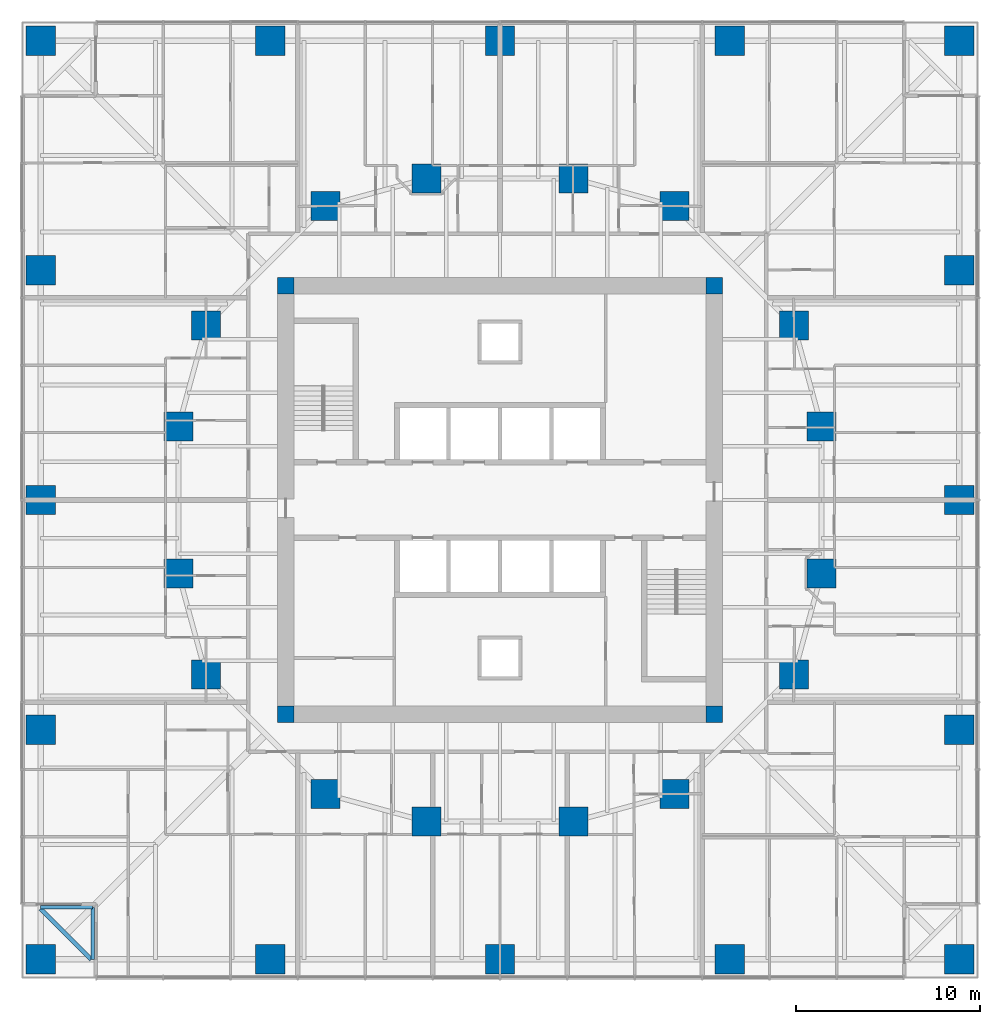
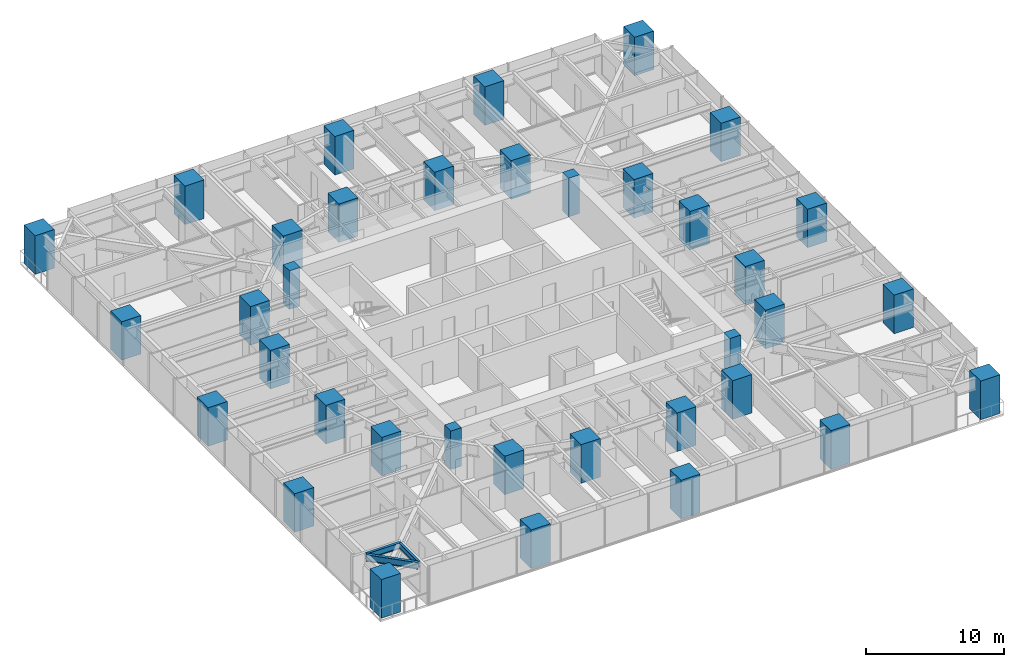
# One storey, part 1 of 16: 36 columns, 3 beams.
"""IFC4 building model written with IfcOpenShell, lengths in metres."""

from ifc_helpers import new_model, si_unit, direction, frame, origin, origin_2d, place, context, subcontext, project, spatial, rectangle, i_section, extrude, material, material_profile, profile_set, type_object, element, save


model = new_model("IFC4")

# Units and contexts
model_context = context("Model", 3, precision=1e-05, world=origin(), true_north=direction((0.0, 1.0)))
body_context = subcontext(model_context, "Body", "Model", "MODEL_VIEW")
ifc_project = project(units=[si_unit("LENGTHUNIT", "METRE"), si_unit("AREAUNIT", "SQUARE_METRE"), si_unit("VOLUMEUNIT", "CUBIC_METRE"), si_unit("PLANEANGLEUNIT", "RADIAN"), si_unit("MASSUNIT", "GRAM", prefix="KILO")], contexts=[model_context])

# Site, building, storey
site_placement = place(None, origin())
site = spatial("IfcSite", under=ifc_project, at=site_placement, CompositionType="ELEMENT")
building_placement = place(site_placement, origin())
building = spatial("IfcBuilding", under=site, at=building_placement, Name="Torsade Residences", CompositionType="ELEMENT")
storey_placement = place(building_placement, frame((0.0, 0.0, 35.39990234375)))
storey = spatial("IfcBuildingStorey", under=building, at=storey_placement, Name="L09", CompositionType="ELEMENT", Elevation=35.39990234375)

# Columns
ifc_material_1 = material(Name="Concrete 80 MPa", Category="concrete")
ifc_material_profile_1 = material_profile(ifc_material_1, rectangle(XDim=0.89990234375, YDim=0.89990234375, at=origin_2d()), Name="RC 900x900")
ifc_profile_set_1 = profile_set([ifc_material_profile_1], Name="Concrete 80 MPa")
column_type_1 = type_object("IfcColumnType", Name="CORE CORNER COLUMN RC 900x900", PredefinedType="COLUMN", material=ifc_profile_set_1)
for number, where, z_axis, x_axis, name in (
    (1, (28.35009765625, 18.35009765625, 0.0), (0.0, 0.0, 1.0), (1.0, 0.0, 0.0), "Core corner column CC1 L09"),
    (2, (51.64990234375, 18.35009765625, 0.0), (0.0, 0.0, 1.0), (1.0, 0.0, 0.0), "Core corner column CC2 L09"),
    (3, (51.64990234375, 41.64990234375, 0.0), (0.0, 0.0, 1.0), (1.0, 0.0, 0.0), "Core corner column CC3 L09"),
    (4, (28.35009765625, 41.64990234375, 0.0), (0.0, 0.0, 1.0), (1.0, 0.0, 0.0), "Core corner column CC4 L09"),
):
    element("IfcColumn", number, at=place(storey_placement, frame(where, z_axis=z_axis, x_axis=x_axis)), inside=storey, type_object=column_type_1, Name=name, PredefinedType="COLUMN", context=body_context, shape_type="SweptSolid", body=[
        extrude(rectangle(XDim=0.89990234375, YDim=0.89990234375, at=origin_2d()), origin(), (0.0, 0.0, 1.0), 3.400146484375),
    ])
ifc_material_2 = material(Name="Concrete 80 MPa", Category="concrete")
ifc_material_profile_2 = material_profile(ifc_material_2, rectangle(XDim=1.60009765625, YDim=1.60009765625, at=origin_2d()), Name="RC 1600x1600")
ifc_profile_set_2 = profile_set([ifc_material_profile_2], Name="Concrete 80 MPa")
column_type_2 = type_object("IfcColumnType", Name="INNER RING COLUMN RC 1600x1600", PredefinedType="COLUMN", material=ifc_profile_set_2)
for number, where, z_axis, x_axis, name in (
    (5, (57.5, 26.0, 0.0), (0.0, 0.0, 1.0), (1.0, 0.0, 0.0), "Inner ring column IR01 L09"),
    (6, (57.5, 34.0, 0.0), (0.0, 0.0, 1.0), (1.0, 0.0, 0.0), "Inner ring column IR02 L09"),
    (7, (56.0, 39.5, 0.0), (0.0, 0.0, 1.0), (1.0, 0.0, 0.0), "Inner ring column IR03 L09"),
    (8, (49.5, 46.0, 0.0), (0.0, 0.0, 1.0), (1.0, 0.0, 0.0), "Inner ring column IR04 L09"),
    (9, (44.0, 47.5, 0.0), (0.0, 0.0, 1.0), (1.0, 0.0, 0.0), "Inner ring column IR05 L09"),
    (10, (36.0, 47.5, 0.0), (0.0, 0.0, 1.0), (1.0, 0.0, 0.0), "Inner ring column IR06 L09"),
    (11, (30.5, 46.0, 0.0), (0.0, 0.0, 1.0), (1.0, 0.0, 0.0), "Inner ring column IR07 L09"),
    (12, (24.0, 39.5, 0.0), (0.0, 0.0, 1.0), (1.0, 0.0, 0.0), "Inner ring column IR08 L09"),
    (13, (22.5, 34.0, 0.0), (0.0, 0.0, 1.0), (1.0, 0.0, 0.0), "Inner ring column IR09 L09"),
    (14, (22.5, 26.0, 0.0), (0.0, 0.0, 1.0), (1.0, 0.0, 0.0), "Inner ring column IR10 L09"),
    (15, (24.0, 20.5, 0.0), (0.0, 0.0, 1.0), (1.0, 0.0, 0.0), "Inner ring column IR11 L09"),
    (16, (30.5, 14.0, 0.0), (0.0, 0.0, 1.0), (1.0, 0.0, 0.0), "Inner ring column IR12 L09"),
    (17, (36.0, 12.5, 0.0), (0.0, 0.0, 1.0), (1.0, 0.0, 0.0), "Inner ring column IR13 L09"),
    (18, (44.0, 12.5, 0.0), (0.0, 0.0, 1.0), (1.0, 0.0, 0.0), "Inner ring column IR14 L09"),
    (19, (49.5, 14.0, 0.0), (0.0, 0.0, 1.0), (1.0, 0.0, 0.0), "Inner ring column IR15 L09"),
    (20, (56.0, 20.5, 0.0), (0.0, 0.0, 1.0), (1.0, 0.0, 0.0), "Inner ring column IR16 L09"),
):
    element("IfcColumn", number, at=place(storey_placement, frame(where, z_axis=z_axis, x_axis=x_axis)), inside=storey, type_object=column_type_2, Name=name, PredefinedType="COLUMN", context=body_context, shape_type="SweptSolid", body=[
        extrude(rectangle(XDim=1.60009765625, YDim=1.60009765625, at=origin_2d()), origin(), (0.0, 0.0, 1.0), 3.400146484375),
    ])
ifc_material_3 = material(Name="Concrete 80 MPa", Category="concrete")
ifc_material_profile_3 = material_profile(ifc_material_3, rectangle(XDim=1.60009765625, YDim=1.60009765625, at=origin_2d()), Name="RC 1600x1600")
ifc_profile_set_3 = profile_set([ifc_material_profile_3], Name="Concrete 80 MPa")
column_type_3 = type_object("IfcColumnType", Name="TOWER COLUMN RC 1600x1600", PredefinedType="COLUMN", material=ifc_profile_set_3)
for number, where, z_axis, x_axis, name in (
    (21, (15.0, 5.0, 0.0), (0.0, 0.0, 1.0), (1.0, 0.0, 0.0), "Column TC1-01 L09"),
    (22, (27.5, 5.0, 0.0), (0.0, 0.0, 1.0), (1.0, 0.0, 0.0), "Column TC1-02 L09"),
    (23, (40.0, 5.0, 0.0), (0.0, 0.0, 1.0), (1.0, 0.0, 0.0), "Column TC1-03 L09"),
    (24, (52.5, 5.0, 0.0), (0.0, 0.0, 1.0), (1.0, 0.0, 0.0), "Column TC1-04 L09"),
    (25, (65.0, 5.0, 0.0), (0.0, 0.0, 1.0), (1.0, 0.0, 0.0), "Column TC1-05 L09"),
    (26, (65.0, 17.5, 0.0), (0.0, 0.0, 1.0), (1.0, 0.0, 0.0), "Column TC1-06 L09"),
    (27, (65.0, 30.0, 0.0), (0.0, 0.0, 1.0), (1.0, 0.0, 0.0), "Column TC1-07 L09"),
    (28, (65.0, 42.5, 0.0), (0.0, 0.0, 1.0), (1.0, 0.0, 0.0), "Column TC1-08 L09"),
    (29, (65.0, 55.0, 0.0), (0.0, 0.0, 1.0), (1.0, 0.0, 0.0), "Column TC1-09 L09"),
    (30, (52.5, 55.0, 0.0), (0.0, 0.0, 1.0), (1.0, 0.0, 0.0), "Column TC1-10 L09"),
    (31, (40.0, 55.0, 0.0), (0.0, 0.0, 1.0), (1.0, 0.0, 0.0), "Column TC1-11 L09"),
    (32, (27.5, 55.0, 0.0), (0.0, 0.0, 1.0), (1.0, 0.0, 0.0), "Column TC1-12 L09"),
    (33, (15.0, 55.0, 0.0), (0.0, 0.0, 1.0), (1.0, 0.0, 0.0), "Column TC1-13 L09"),
    (34, (15.0, 42.5, 0.0), (0.0, 0.0, 1.0), (1.0, 0.0, 0.0), "Column TC1-14 L09"),
    (35, (15.0, 30.0, 0.0), (0.0, 0.0, 1.0), (1.0, 0.0, 0.0), "Column TC1-15 L09"),
    (36, (15.0, 17.5, 0.0), (0.0, 0.0, 1.0), (1.0, 0.0, 0.0), "Column TC1-16 L09"),
):
    element("IfcColumn", number, at=place(storey_placement, frame(where, z_axis=z_axis, x_axis=x_axis)), inside=storey, type_object=column_type_3, Name=name, PredefinedType="COLUMN", context=body_context, shape_type="SweptSolid", body=[
        extrude(rectangle(XDim=1.60009765625, YDim=1.60009765625, at=origin_2d()), origin(), (0.0, 0.0, 1.0), 3.400146484375),
    ])

# Beams
ifc_material_4 = material(Name="Steel grade 300", Category="steel")
ifc_material_profile_4 = material_profile(ifc_material_4, i_section(OverallWidth=0.22802734375, OverallDepth=0.60205078125, WebThickness=0.010498046875, FlangeThickness=0.014892578125, FilletRadius=0.013916015625, at=origin_2d()), Name="610UB101")
ifc_profile_set_4 = profile_set([ifc_material_profile_4], Name="Steel grade 300")
beam_type_1 = type_object("IfcBeamType", Name="CORNER TRIMMER 610UB101", PredefinedType="BEAM", material=ifc_profile_set_4)
beam_placement = place(storey_placement, frame((17.75, 5.0, 2.94921875), z_axis=(-0.707106781187, 0.707106781187, 0.0), x_axis=(-0.707106781187, -0.707106781187, 0.0)))
element("IfcBeam", 37, at=beam_placement, inside=storey, type_object=beam_type_1, Name="Corner trimmer 01 L10", PredefinedType="BEAM", context=body_context, shape_type="SweptSolid", body=[
    extrude(i_section(OverallWidth=0.22802734375, OverallDepth=0.60205078125, WebThickness=0.010498046875, FlangeThickness=0.014892578125, FilletRadius=0.013916015625, at=origin_2d()), origin(), (0.0, 0.0, 1.0), 3.88916015625),
])
ifc_material_5 = material(Name="Steel grade 300", Category="steel")
ifc_material_profile_5 = material_profile(ifc_material_5, i_section(OverallWidth=0.208984375, OverallDepth=0.528076171875, WebThickness=0.009521484375, FlangeThickness=0.01318359375, FilletRadius=0.013916015625, at=origin_2d()), Name="530UB82.0")
ifc_profile_set_5 = profile_set([ifc_material_profile_5], Name="Steel grade 300")
beam_type_2 = type_object("IfcBeamType", Name="SECONDARY BEAM 530UB82.0", PredefinedType="JOIST", material=ifc_profile_set_5)
for number, where, z_axis, x_axis, name in (
    (38, (17.833251953125, 5.0, 2.986083984375), (0.0, 1.0, 0.0), (-1.0, 0.0, 0.0), "Floor beam FS01 L10"),
    (39, (15.0, 7.833251953125, 2.986083984375), (1.0, 0.0, 0.0), (0.0, 1.0, 0.0), "Floor beam FW12 L10"),
):
    element("IfcBeam", number, at=place(storey_placement, frame(where, z_axis=z_axis, x_axis=x_axis)), inside=storey, type_object=beam_type_2, Name=name, PredefinedType="JOIST", context=body_context, shape_type="SweptSolid", body=[
        extrude(i_section(OverallWidth=0.208984375, OverallDepth=0.528076171875, WebThickness=0.009521484375, FlangeThickness=0.01318359375, FilletRadius=0.013916015625, at=origin_2d()), origin(), (0.0, 0.0, 1.0), 2.833251953125),
    ])

save(model, "model.ifc")
